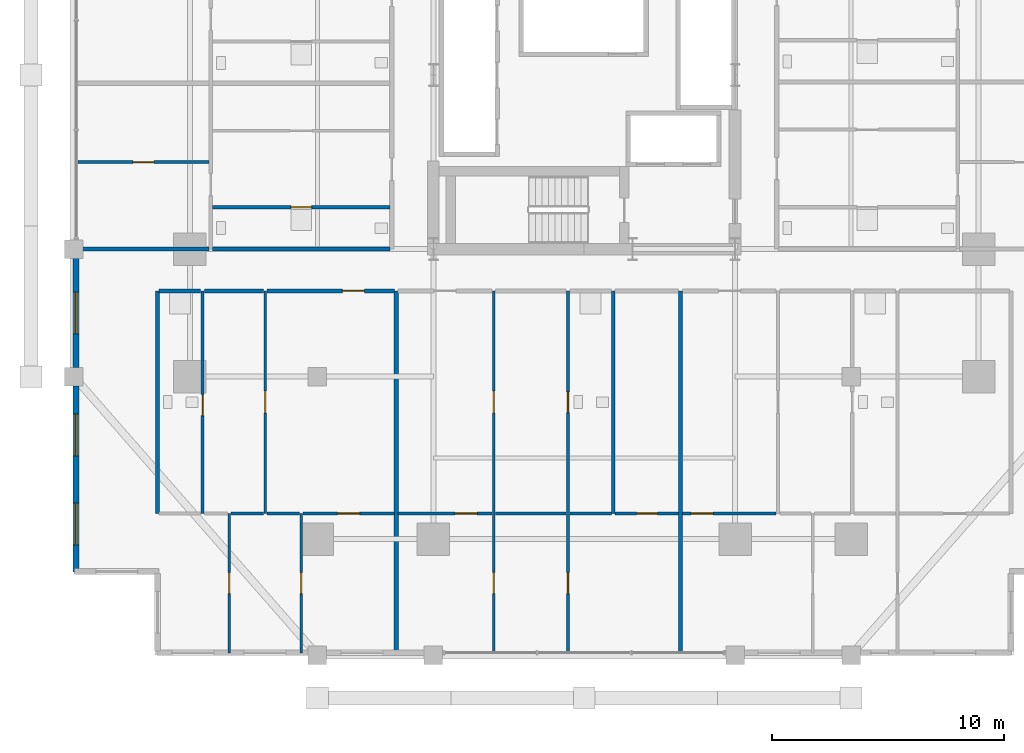
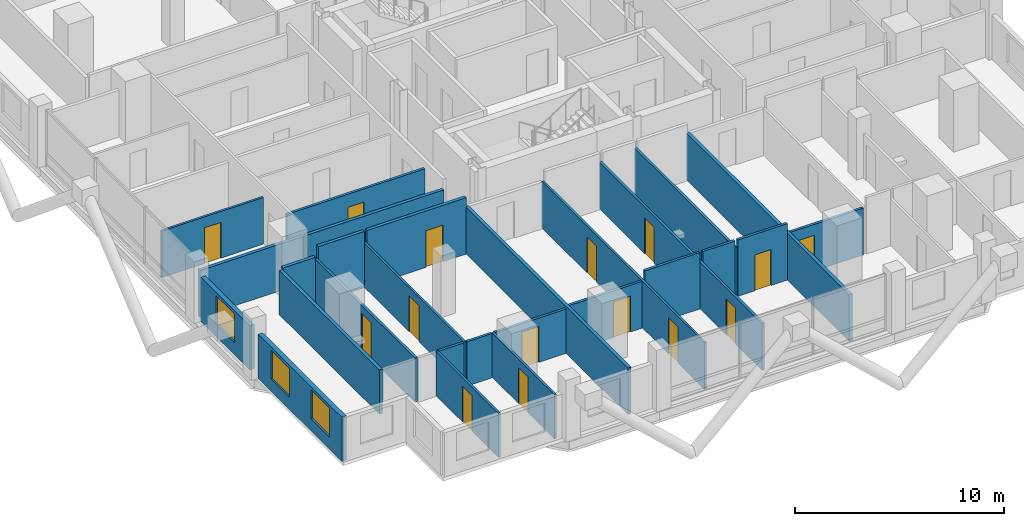
# One storey, part 17 of 24: 27 walls, 15 doors, 3 windows, 18 openings.
"""IFC4 building model written with IfcOpenShell, lengths in metres."""

from ifc_helpers import new_model, si_unit, direction, frame, frame_2d, origin, place, context, subcontext, project, spatial, rectangle, extrude, material, layer, layer_set, type_object, element, fill, save


model = new_model("IFC4")

# Units and contexts
model_context = context("Model", 3, precision=1e-05, world=origin(), true_north=direction((0.0, 1.0)))
body_context = subcontext(model_context, "Body", "Model", "MODEL_VIEW")
ifc_project = project(units=[si_unit("LENGTHUNIT", "METRE"), si_unit("AREAUNIT", "SQUARE_METRE"), si_unit("VOLUMEUNIT", "CUBIC_METRE"), si_unit("PLANEANGLEUNIT", "RADIAN"), si_unit("MASSUNIT", "GRAM", prefix="KILO")], contexts=[model_context])

# Site, building, storey
site_placement = place(None, origin())
site = spatial("IfcSite", under=ifc_project, at=site_placement, CompositionType="ELEMENT")
building_placement = place(site_placement, origin())
building = spatial("IfcBuilding", under=site, at=building_placement, Name="Barlavira Tower and Art Museum", CompositionType="ELEMENT")
storey_placement = place(building_placement, frame((0.0, 0.0, 90.0)))
storey = spatial("IfcBuildingStorey", under=building, at=storey_placement, Name="L22", CompositionType="ELEMENT", Elevation=90.0)

# Wall, opening, door
ifc_material_1 = material(Name="Gypsum acoustic stud partition", Category="gypsum")
ifc_layer_1 = layer(ifc_material_1, 0.1201171875, Name="Gypsum acoustic stud partition")
ifc_layer_set_1 = layer_set([ifc_layer_1], Name="Gypsum acoustic stud partition")
wall_type_1 = type_object("IfcWallType", Name="Apartment Internal Acoustic Partition 120", PredefinedType="PARTITIONING", material=ifc_layer_set_1)
wall_1_placement = place(storey_placement, frame((-15.300048828125, -24.89990234375, 0.0), z_axis=(0.0, 0.0, 1.0), x_axis=(0.0, 1.0, 0.0)))
wall_1 = element("IfcWall", 1, at=wall_1_placement, inside=storey, type_object=wall_type_1, Name="L22 Partition Wall 5", PredefinedType="PARTITIONING", context=body_context, shape_type="SweptSolid", body=[
    extrude(rectangle(XDim=6.0, YDim=0.1201171875, at=frame_2d((3.0, 0.0))), origin(), (0.0, 0.0, 1.0), 2.590087890625),
])
opening_1_placement = place(wall_1_placement, frame((2.550048828125, 0.0, 0.0)))
opening_1 = element("IfcOpeningElement", 2, at=opening_1_placement, cuts=wall_1, Name="Opening D-01", PredefinedType="OPENING", context=body_context, shape_type="SweptSolid", body=[
    extrude(rectangle(XDim=0.89990234375, YDim=2.10009765625, at=frame_2d((0.449951171875, 1.050048828125))), frame((0.0, 0.070068359375, 0.0), z_axis=(0.0, -1.0, 0.0), x_axis=(1.0, 0.0, 0.0)), (0.0, 0.0, 1.0), 0.14013671875),
])
ifc_material_2 = material(Name="Engineered coastal hardwood", Category="wood")
door_type_1 = type_object("IfcDoorType", Name="Internal Bedroom Timber Flush Door 900x2100", OperationType="NOTDEFINED", PredefinedType="DOOR", material=ifc_material_2)
door_1_placement = place(opening_1_placement, origin())
door_1 = element("IfcDoor", 3, at=door_1_placement, inside=storey, type_object=door_type_1, Name="Apartment S1 Bedroom 2 Door", OperationType="SINGLE_SWING_LEFT", OverallHeight=2.10009765625, OverallWidth=0.89990234375, PredefinedType="DOOR", context=body_context, shape_type="SweptSolid", body=[
    extrude(rectangle(XDim=0.89990234375, YDim=2.10009765625, at=frame_2d((0.449951171875, 1.050048828125))), frame((0.0, 0.02490234375, 0.0), z_axis=(0.0, -1.0, 0.0), x_axis=(1.0, 0.0, 0.0)), (0.0, 0.0, 1.0), 0.050048828125),
])
fill(opening_1, door_1)

wall_2_placement = place(storey_placement, frame((-13.75, -18.89990234375, 0.0), z_axis=(0.0, 0.0, 1.0), x_axis=(0.0, 1.0, 0.0)))
wall_2 = element("IfcWall", 4, at=wall_2_placement, inside=storey, type_object=wall_type_1, Name="L22 Partition Wall 6", PredefinedType="PARTITIONING", context=body_context, shape_type="SweptSolid", body=[
    extrude(rectangle(XDim=9.599853515625, YDim=0.1201171875, at=frame_2d((4.7998046875, 0.0))), origin(), (0.0, 0.0, 1.0), 2.590087890625),
])
opening_2_placement = place(wall_2_placement, frame((4.324951171875, 0.0, 0.0)))
opening_2 = element("IfcOpeningElement", 5, at=opening_2_placement, cuts=wall_2, Name="Opening D-02", PredefinedType="OPENING", context=body_context, shape_type="SweptSolid", body=[
    extrude(rectangle(XDim=0.949951171875, YDim=2.10009765625, at=frame_2d((0.47509765625, 1.050048828125))), frame((0.0, 0.070068359375, 0.0), z_axis=(0.0, -1.0, 0.0), x_axis=(1.0, 0.0, 0.0)), (0.0, 0.0, 1.0), 0.14013671875),
])
door_type_2 = type_object("IfcDoorType", Name="Living and Salon Glazed-Leaf Door 950x2100", OperationType="NOTDEFINED", PredefinedType="DOOR", material=ifc_material_2)
door_2_placement = place(opening_2_placement, origin())
door_2 = element("IfcDoor", 6, at=door_2_placement, inside=storey, type_object=door_type_2, Name="Apartment S1 Kitchen Door", OperationType="SINGLE_SWING_LEFT", OverallHeight=2.10009765625, OverallWidth=0.949951171875, PredefinedType="DOOR", context=body_context, shape_type="SweptSolid", body=[
    extrude(rectangle(XDim=0.949951171875, YDim=2.10009765625, at=frame_2d((0.47509765625, 1.050048828125))), frame((0.0, 0.02490234375, 0.0), z_axis=(0.0, -1.0, 0.0), x_axis=(1.0, 0.0, 0.0)), (0.0, 0.0, 1.0), 0.050048828125),
])
fill(opening_2, door_2)

wall_3_placement = place(storey_placement, frame((-12.199951171875, -24.89990234375, 0.0), z_axis=(0.0, 0.0, 1.0), x_axis=(0.0, 1.0, 0.0)))
wall_3 = element("IfcWall", 7, at=wall_3_placement, inside=storey, type_object=wall_type_1, Name="L22 Partition Wall 8", PredefinedType="PARTITIONING", context=body_context, shape_type="SweptSolid", body=[
    extrude(rectangle(XDim=6.0, YDim=0.1201171875, at=frame_2d((3.0, 0.0))), origin(), (0.0, 0.0, 1.0), 2.590087890625),
])
opening_3_placement = place(wall_3_placement, frame((2.550048828125, 0.0, 0.0)))
opening_3 = element("IfcOpeningElement", 8, at=opening_3_placement, cuts=wall_3, Name="Opening D-01", PredefinedType="OPENING", context=body_context, shape_type="SweptSolid", body=[
    extrude(rectangle(XDim=0.89990234375, YDim=2.10009765625, at=frame_2d((0.449951171875, 1.050048828125))), frame((0.0, 0.070068359375, 0.0), z_axis=(0.0, -1.0, 0.0), x_axis=(1.0, 0.0, 0.0)), (0.0, 0.0, 1.0), 0.14013671875),
])
door_3_placement = place(opening_3_placement, origin())
door_3 = element("IfcDoor", 9, at=door_3_placement, inside=storey, type_object=door_type_1, Name="Apartment S1 Bedroom 1 Door", OperationType="SINGLE_SWING_RIGHT", OverallHeight=2.10009765625, OverallWidth=0.89990234375, PredefinedType="DOOR", context=body_context, shape_type="SweptSolid", body=[
    extrude(rectangle(XDim=0.89990234375, YDim=2.10009765625, at=frame_2d((0.449951171875, 1.050048828125))), frame((0.0, 0.02490234375, 0.0), z_axis=(0.0, -1.0, 0.0), x_axis=(1.0, 0.0, 0.0)), (0.0, 0.0, 1.0), 0.050048828125),
])
fill(opening_3, door_3)

# Wall, openings, doors
wall_4_placement = place(storey_placement, frame((-3.89990234375, -24.89990234375, 0.0), z_axis=(0.0, 0.0, 1.0), x_axis=(0.0, 1.0, 0.0)))
wall_4 = element("IfcWall", 10, at=wall_4_placement, inside=storey, type_object=wall_type_1, Name="L22 Partition Wall 14", PredefinedType="PARTITIONING", context=body_context, shape_type="SweptSolid", body=[
    extrude(rectangle(XDim=15.599853515625, YDim=0.1201171875, at=frame_2d((7.7998046875, 0.0))), origin(), (0.0, 0.0, 1.0), 2.736083984375),
])
opening_4_placement = place(wall_4_placement, frame((10.324951171875, 0.0, 0.0)))
opening_4 = element("IfcOpeningElement", 11, at=opening_4_placement, cuts=wall_4, Name="Opening D-02", PredefinedType="OPENING", context=body_context, shape_type="SweptSolid", body=[
    extrude(rectangle(XDim=0.949951171875, YDim=2.10009765625, at=frame_2d((0.47509765625, 1.050048828125))), frame((0.0, 0.070068359375, 0.0), z_axis=(0.0, -1.0, 0.0), x_axis=(1.0, 0.0, 0.0)), (0.0, 0.0, 1.0), 0.14013671875),
])
opening_5_placement = place(wall_4_placement, frame((2.550048828125, 0.0, 0.0)))
opening_5 = element("IfcOpeningElement", 12, at=opening_5_placement, cuts=wall_4, Name="Opening D-01", PredefinedType="OPENING", context=body_context, shape_type="SweptSolid", body=[
    extrude(rectangle(XDim=0.89990234375, YDim=2.10009765625, at=frame_2d((0.449951171875, 1.050048828125))), frame((0.0, 0.070068359375, 0.0), z_axis=(0.0, -1.0, 0.0), x_axis=(1.0, 0.0, 0.0)), (0.0, 0.0, 1.0), 0.14013671875),
])
door_4_placement = place(opening_5_placement, origin())
door_4 = element("IfcDoor", 13, at=door_4_placement, inside=storey, type_object=door_type_1, Name="Apartment S2 Bedroom 1 Door", OperationType="SINGLE_SWING_LEFT", OverallHeight=2.10009765625, OverallWidth=0.89990234375, PredefinedType="DOOR", context=body_context, shape_type="SweptSolid", body=[
    extrude(rectangle(XDim=0.89990234375, YDim=2.10009765625, at=frame_2d((0.449951171875, 1.050048828125))), frame((0.0, 0.02490234375, 0.0), z_axis=(0.0, -1.0, 0.0), x_axis=(1.0, 0.0, 0.0)), (0.0, 0.0, 1.0), 0.050048828125),
])
fill(opening_5, door_4)
door_5_placement = place(opening_4_placement, origin())
door_5 = element("IfcDoor", 14, at=door_5_placement, inside=storey, type_object=door_type_2, Name="Apartment S2 Kitchen Door", OperationType="SINGLE_SWING_LEFT", OverallHeight=2.10009765625, OverallWidth=0.949951171875, PredefinedType="DOOR", context=body_context, shape_type="SweptSolid", body=[
    extrude(rectangle(XDim=0.949951171875, YDim=2.10009765625, at=frame_2d((0.47509765625, 1.050048828125))), frame((0.0, 0.02490234375, 0.0), z_axis=(0.0, -1.0, 0.0), x_axis=(1.0, 0.0, 0.0)), (0.0, 0.0, 1.0), 0.050048828125),
])
fill(opening_4, door_5)

# Wall, opening, door
wall_5_placement = place(storey_placement, frame((-21.820068359375, -3.75, 0.0), z_axis=(0.0, 0.0, 1.0), x_axis=(1.0, 0.0, 0.0)))
wall_5 = element("IfcWall", 15, at=wall_5_placement, inside=storey, type_object=wall_type_1, Name="L22 Partition Wall 64", PredefinedType="PARTITIONING", context=body_context, shape_type="SweptSolid", body=[
    extrude(rectangle(XDim=5.64013671875, YDim=0.1201171875, at=frame_2d((2.820068359375, 0.0))), origin(), (0.0, 0.0, 1.0), 2.736083984375),
])
opening_6_placement = place(wall_5_placement, frame((2.3701171875, 0.0, 0.0)))
opening_6 = element("IfcOpeningElement", 16, at=opening_6_placement, cuts=wall_5, Name="Opening D-01", PredefinedType="OPENING", context=body_context, shape_type="SweptSolid", body=[
    extrude(rectangle(XDim=0.89990234375, YDim=2.10009765625, at=frame_2d((0.449951171875, 1.050048828125))), frame((0.0, 0.070068359375, 0.0), z_axis=(0.0, -1.0, 0.0), x_axis=(1.0, 0.0, 0.0)), (0.0, 0.0, 1.0), 0.14013671875),
])
door_6_placement = place(opening_6_placement, origin())
door_6 = element("IfcDoor", 17, at=door_6_placement, inside=storey, type_object=door_type_1, Name="Apartment W1 Bedroom 1 Door", OperationType="SINGLE_SWING_RIGHT", OverallHeight=2.10009765625, OverallWidth=0.89990234375, PredefinedType="DOOR", context=body_context, shape_type="SweptSolid", body=[
    extrude(rectangle(XDim=0.89990234375, YDim=2.10009765625, at=frame_2d((0.449951171875, 1.050048828125))), frame((0.0, 0.02490234375, 0.0), z_axis=(0.0, -1.0, 0.0), x_axis=(1.0, 0.0, 0.0)), (0.0, 0.0, 1.0), 0.050048828125),
])
fill(opening_6, door_6)

# Walls
ifc_layer_2 = layer(ifc_material_1, 0.179931640625, Name="Gypsum acoustic stud partition")
ifc_layer_set_2 = layer_set([ifc_layer_2], Name="Gypsum acoustic stud partition")
wall_type_2 = type_object("IfcWallType", Name="Inter-Tenancy Party Partition Wall 180", PredefinedType="PARTITIONING", material=ifc_layer_set_2)
wall_6_placement = place(storey_placement, frame((-18.39990234375, -18.89990234375, 0.0), z_axis=(0.0, 0.0, 1.0), x_axis=(0.0, 1.0, 0.0)))
element("IfcWall", 18, at=wall_6_placement, inside=storey, type_object=wall_type_2, Name="L22 Partition Wall 1", PredefinedType="PARTITIONING", context=body_context, shape_type="SweptSolid", body=[
    extrude(rectangle(XDim=9.599853515625, YDim=0.179931640625, at=frame_2d((4.7998046875, 0.0))), origin(), (0.0, 0.0, 1.0), 2.590087890625),
])
for number, where, z_axis, x_axis, name in (
    (19, (-8.10009765625, -24.89990234375, 0.0), (0.0, 0.0, 1.0), (0.0, 1.0, 0.0), "L22 Partition Wall 10"),
    (20, (4.14990234375, -24.89990234375, 0.0), (0.0, 0.0, 1.0), (0.0, 1.0, 0.0), "L22 Partition Wall 21"),
):
    element("IfcWall", number, at=place(storey_placement, frame(where, z_axis=z_axis, x_axis=x_axis)), inside=storey, type_object=wall_type_2, Name=name, PredefinedType="PARTITIONING", context=body_context, shape_type="SweptSolid", body=[
        extrude(rectangle(XDim=15.599853515625, YDim=0.179931640625, at=frame_2d((7.7998046875, 0.0))), origin(), (0.0, 0.0, 1.0), 2.736083984375),
    ])
wall_7_placement = place(storey_placement, frame((-18.320068359375, -9.300048828125, 0.0), z_axis=(0.0, 0.0, 1.0), x_axis=(1.0, 0.0, 0.0)))
element("IfcWall", 21, at=wall_7_placement, inside=storey, type_object=wall_type_2, Name="L22 Partition Wall 47", PredefinedType="PARTITIONING", context=body_context, shape_type="SweptSolid", body=[
    extrude(rectangle(XDim=1.7900390625, YDim=0.179931640625, at=frame_2d((0.89501953125, 0.0))), origin(), (0.0, 0.0, 1.0), 2.736083984375),
])
wall_8_placement = place(storey_placement, frame((-16.3701171875, -9.300048828125, 0.0), z_axis=(0.0, 0.0, 1.0), x_axis=(1.0, 0.0, 0.0)))
element("IfcWall", 22, at=wall_8_placement, inside=storey, type_object=wall_type_2, Name="L22 Partition Wall 48", PredefinedType="PARTITIONING", context=body_context, shape_type="SweptSolid", body=[
    extrude(rectangle(XDim=2.5400390625, YDim=0.179931640625, at=frame_2d((1.27001953125, 0.0))), origin(), (0.0, 0.0, 1.0), 3.300048828125),
])

# Wall, opening, door
wall_9_placement = place(storey_placement, frame((-13.669921875, -9.300048828125, 0.0), z_axis=(0.0, 0.0, 1.0), x_axis=(1.0, 0.0, 0.0)))
wall_9 = element("IfcWall", 23, at=wall_9_placement, inside=storey, type_object=wall_type_2, Name="L22 Partition Wall 49", PredefinedType="PARTITIONING", context=body_context, shape_type="SweptSolid", body=[
    extrude(rectangle(XDim=5.489990234375, YDim=0.179931640625, at=frame_2d((2.7451171875, 0.0))), origin(), (0.0, 0.0, 1.0), 3.300048828125),
])
opening_7_placement = place(wall_9_placement, frame((3.2451171875, 0.0, 0.0)))
opening_7 = element("IfcOpeningElement", 24, at=opening_7_placement, cuts=wall_9, Name="Opening FD-60", PredefinedType="OPENING", context=body_context, shape_type="SweptSolid", body=[
    extrude(rectangle(XDim=0.949951171875, YDim=2.14990234375, at=frame_2d((0.47509765625, 1.074951171875))), frame((0.0, 0.10009765625, 0.0), z_axis=(0.0, -1.0, 0.0), x_axis=(1.0, 0.0, 0.0)), (0.0, 0.0, 1.0), 0.199951171875),
])
ifc_material_3 = material(Name="Brushed stainless steel", Category="steel")
door_type_3 = type_object("IfcDoorType", Name="Apartment Entrance and Riser Fire Door 950x2150 FD60S", OperationType="NOTDEFINED", PredefinedType="DOOR", material=ifc_material_3)
door_7_placement = place(opening_7_placement, origin())
door_7 = element("IfcDoor", 25, at=door_7_placement, inside=storey, type_object=door_type_3, Name="Apartment Entrance Hall S1 Door", OperationType="SINGLE_SWING_RIGHT", OverallHeight=2.14990234375, OverallWidth=0.949951171875, PredefinedType="DOOR", context=body_context, shape_type="SweptSolid", body=[
    extrude(rectangle(XDim=0.949951171875, YDim=2.14990234375, at=frame_2d((0.47509765625, 1.074951171875))), frame((0.0, 0.02490234375, 0.0), z_axis=(0.0, -1.0, 0.0), x_axis=(1.0, 0.0, 0.0)), (0.0, 0.0, 1.0), 0.050048828125),
])
fill(opening_7, door_7)

# Walls
wall_10_placement = place(storey_placement, frame((-21.89990234375, -7.5, 0.0), z_axis=(0.0, 0.0, 1.0), x_axis=(1.0, 0.0, 0.0)))
element("IfcWall", 26, at=wall_10_placement, inside=storey, type_object=wall_type_2, Name="L22 Partition Wall 58", PredefinedType="PARTITIONING", context=body_context, shape_type="SweptSolid", body=[
    extrude(rectangle(XDim=5.719970703125, YDim=0.179931640625, at=frame_2d((2.85986328125, 0.0))), origin(), (0.0, 0.0, 1.0), 2.736083984375),
])
wall_11_placement = place(storey_placement, frame((-16.02001953125, -7.5, 0.0), z_axis=(0.0, 0.0, 1.0), x_axis=(1.0, 0.0, 0.0)))
element("IfcWall", 27, at=wall_11_placement, inside=storey, type_object=wall_type_2, Name="L22 Partition Wall 59", PredefinedType="PARTITIONING", context=body_context, shape_type="SweptSolid", body=[
    extrude(rectangle(XDim=7.64013671875, YDim=0.179931640625, at=frame_2d((3.820068359375, 0.0))), origin(), (0.0, 0.0, 1.0), 2.736083984375),
])

# Wall, opening, door
ifc_layer_3 = layer(ifc_material_1, 0.139892578125, Name="Gypsum acoustic stud partition")
ifc_layer_set_3 = layer_set([ifc_layer_3], Name="Gypsum acoustic stud partition")
wall_type_3 = type_object("IfcWallType", Name="Moisture-Resistant Bathroom Partition 140", PredefinedType="PARTITIONING", material=ifc_layer_set_3)
wall_12_placement = place(storey_placement, frame((-16.449951171875, -18.89990234375, 0.0), z_axis=(0.0, 0.0, 1.0), x_axis=(0.0, 1.0, 0.0)))
wall_12 = element("IfcWall", 28, at=wall_12_placement, inside=storey, type_object=wall_type_3, Name="L22 Partition Wall 3", PredefinedType="PARTITIONING", context=body_context, shape_type="SweptSolid", body=[
    extrude(rectangle(XDim=9.599853515625, YDim=0.139892578125, at=frame_2d((4.7998046875, 0.0))), origin(), (0.0, 0.0, 1.0), 2.590087890625),
])
opening_8_placement = place(wall_12_placement, frame((4.2216796875, 0.0, 0.0)))
opening_8 = element("IfcOpeningElement", 29, at=opening_8_placement, cuts=wall_12, Name="Opening D-WC", PredefinedType="OPENING", context=body_context, shape_type="SweptSolid", body=[
    extrude(rectangle(XDim=0.89990234375, YDim=2.10009765625, at=frame_2d((0.449951171875, 1.050048828125))), frame((0.0, 0.080078125, 0.0), z_axis=(0.0, -1.0, 0.0), x_axis=(1.0, 0.0, 0.0)), (0.0, 0.0, 1.0), 0.159912109375),
])
door_type_4 = type_object("IfcDoorType", Name="Accessible Bathroom Flush Door 900x2100", OperationType="NOTDEFINED", PredefinedType="DOOR", material=ifc_material_2)
door_8_placement = place(opening_8_placement, origin())
door_8 = element("IfcDoor", 30, at=door_8_placement, inside=storey, type_object=door_type_4, Name="Apartment S1 Hall Bathroom Door", OperationType="SINGLE_SWING_RIGHT", OverallHeight=2.10009765625, OverallWidth=0.89990234375, PredefinedType="DOOR", context=body_context, shape_type="SweptSolid", body=[
    extrude(rectangle(XDim=0.89990234375, YDim=2.10009765625, at=frame_2d((0.449951171875, 1.050048828125))), frame((0.0, 0.02490234375, 0.0), z_axis=(0.0, -1.0, 0.0), x_axis=(1.0, 0.0, 0.0)), (0.0, 0.0, 1.0), 0.050048828125),
])
fill(opening_8, door_8)

# Wall, openings, doors
wall_13_placement = place(storey_placement, frame((-0.699951171875, -24.89990234375, 0.0), z_axis=(0.0, 0.0, 1.0), x_axis=(0.0, 1.0, 0.0)))
wall_13 = element("IfcWall", 31, at=wall_13_placement, inside=storey, type_object=wall_type_3, Name="L22 Partition Wall 15", PredefinedType="PARTITIONING", context=body_context, shape_type="SweptSolid", body=[
    extrude(rectangle(XDim=15.599853515625, YDim=0.139892578125, at=frame_2d((7.7998046875, 0.0))), origin(), (0.0, 0.0, 1.0), 2.736083984375),
])
opening_9_placement = place(wall_13_placement, frame((10.35009765625, 0.0, 0.0)))
opening_9 = element("IfcOpeningElement", 32, at=opening_9_placement, cuts=wall_13, Name="Opening D-WC", PredefinedType="OPENING", context=body_context, shape_type="SweptSolid", body=[
    extrude(rectangle(XDim=0.89990234375, YDim=2.10009765625, at=frame_2d((0.449951171875, 1.050048828125))), frame((0.0, 0.080078125, 0.0), z_axis=(0.0, -1.0, 0.0), x_axis=(1.0, 0.0, 0.0)), (0.0, 0.0, 1.0), 0.159912109375),
])
opening_10_placement = place(wall_13_placement, frame((2.550048828125, 0.0, 0.0)))
opening_10 = element("IfcOpeningElement", 33, at=opening_10_placement, cuts=wall_13, Name="Opening D-01", PredefinedType="OPENING", context=body_context, shape_type="SweptSolid", body=[
    extrude(rectangle(XDim=0.89990234375, YDim=2.10009765625, at=frame_2d((0.449951171875, 1.050048828125))), frame((0.0, 0.080078125, 0.0), z_axis=(0.0, -1.0, 0.0), x_axis=(1.0, 0.0, 0.0)), (0.0, 0.0, 1.0), 0.159912109375),
])
door_9_placement = place(opening_9_placement, origin())
door_9 = element("IfcDoor", 34, at=door_9_placement, inside=storey, type_object=door_type_4, Name="Apartment S2 Hall Bathroom Door", OperationType="SINGLE_SWING_RIGHT", OverallHeight=2.10009765625, OverallWidth=0.89990234375, PredefinedType="DOOR", context=body_context, shape_type="SweptSolid", body=[
    extrude(rectangle(XDim=0.89990234375, YDim=2.10009765625, at=frame_2d((0.449951171875, 1.050048828125))), frame((0.0, 0.02490234375, 0.0), z_axis=(0.0, -1.0, 0.0), x_axis=(1.0, 0.0, 0.0)), (0.0, 0.0, 1.0), 0.050048828125),
])
fill(opening_9, door_9)
door_10_placement = place(opening_10_placement, origin())
door_10 = element("IfcDoor", 35, at=door_10_placement, inside=storey, type_object=door_type_1, Name="Apartment S2 Bedroom 2 Door", OperationType="SINGLE_SWING_RIGHT", OverallHeight=2.10009765625, OverallWidth=0.89990234375, PredefinedType="DOOR", context=body_context, shape_type="SweptSolid", body=[
    extrude(rectangle(XDim=0.89990234375, YDim=2.10009765625, at=frame_2d((0.449951171875, 1.050048828125))), frame((0.0, 0.02490234375, 0.0), z_axis=(0.0, -1.0, 0.0), x_axis=(1.0, 0.0, 0.0)), (0.0, 0.0, 1.0), 0.050048828125),
])
fill(opening_10, door_10)

# Walls
wall_14_placement = place(storey_placement, frame((1.25, -18.89990234375, 0.0), z_axis=(0.0, 0.0, 1.0), x_axis=(0.0, 1.0, 0.0)))
element("IfcWall", 36, at=wall_14_placement, inside=storey, type_object=wall_type_3, Name="L22 Partition Wall 17", PredefinedType="PARTITIONING", context=body_context, shape_type="SweptSolid", body=[
    extrude(rectangle(XDim=9.599853515625, YDim=0.139892578125, at=frame_2d((4.7998046875, 0.0))), origin(), (0.0, 0.0, 1.0), 2.867919921875),
])
for number, where, z_axis, x_axis, name in (
    (37, (-15.219970703125, -18.89990234375, 0.0), (0.0, 0.0, 1.0), (1.0, 0.0, 0.0), "L22 Partition Wall 35"),
    (38, (-13.669921875, -18.89990234375, 0.0), (0.0, 0.0, 1.0), (1.0, 0.0, 0.0), "L22 Partition Wall 36"),
):
    element("IfcWall", number, at=place(storey_placement, frame(where, z_axis=z_axis, x_axis=x_axis)), inside=storey, type_object=wall_type_3, Name=name, PredefinedType="PARTITIONING", context=body_context, shape_type="SweptSolid", body=[
        extrude(rectangle(XDim=1.389892578125, YDim=0.139892578125, at=frame_2d((0.69482421875, 0.0))), origin(), (0.0, 0.0, 1.0), 2.590087890625),
    ])

# Wall, opening, door
wall_15_placement = place(storey_placement, frame((-12.1201171875, -18.89990234375, 0.0), z_axis=(0.0, 0.0, 1.0), x_axis=(1.0, 0.0, 0.0)))
wall_15 = element("IfcWall", 39, at=wall_15_placement, inside=storey, type_object=wall_type_3, Name="L22 Partition Wall 37", PredefinedType="PARTITIONING", context=body_context, shape_type="SweptSolid", body=[
    extrude(rectangle(XDim=3.940185546875, YDim=0.139892578125, at=frame_2d((1.97021484375, 0.0))), origin(), (0.0, 0.0, 1.0), 2.590087890625),
])
opening_11_placement = place(wall_15_placement, frame((1.485107421875, 0.0, 0.0)))
opening_11 = element("IfcOpeningElement", 40, at=opening_11_placement, cuts=wall_15, Name="Opening D-02", PredefinedType="OPENING", context=body_context, shape_type="SweptSolid", body=[
    extrude(rectangle(XDim=0.949951171875, YDim=2.10009765625, at=frame_2d((0.47509765625, 1.050048828125))), frame((0.0, 0.080078125, 0.0), z_axis=(0.0, -1.0, 0.0), x_axis=(1.0, 0.0, 0.0)), (0.0, 0.0, 1.0), 0.159912109375),
])
door_11_placement = place(opening_11_placement, origin())
door_11 = element("IfcDoor", 41, at=door_11_placement, inside=storey, type_object=door_type_2, Name="Apartment S1 Living Lounge Door", OperationType="SINGLE_SWING_LEFT", OverallHeight=2.10009765625, OverallWidth=0.949951171875, PredefinedType="DOOR", context=body_context, shape_type="SweptSolid", body=[
    extrude(rectangle(XDim=0.949951171875, YDim=2.10009765625, at=frame_2d((0.47509765625, 1.050048828125))), frame((0.0, 0.02490234375, 0.0), z_axis=(0.0, -1.0, 0.0), x_axis=(1.0, 0.0, 0.0)), (0.0, 0.0, 1.0), 0.050048828125),
])
fill(opening_11, door_11)

wall_16_placement = place(storey_placement, frame((-8.02001953125, -18.89990234375, 0.0), z_axis=(0.0, 0.0, 1.0), x_axis=(1.0, 0.0, 0.0)))
wall_16 = element("IfcWall", 42, at=wall_16_placement, inside=storey, type_object=wall_type_3, Name="L22 Partition Wall 38", PredefinedType="PARTITIONING", context=body_context, shape_type="SweptSolid", body=[
    extrude(rectangle(XDim=4.0400390625, YDim=0.139892578125, at=frame_2d((2.02001953125, 0.0))), origin(), (0.0, 0.0, 1.0), 2.736083984375),
])
opening_12_placement = place(wall_16_placement, frame((2.451904296875, 0.0, 0.0)))
opening_12 = element("IfcOpeningElement", 43, at=opening_12_placement, cuts=wall_16, Name="Opening D-02", PredefinedType="OPENING", context=body_context, shape_type="SweptSolid", body=[
    extrude(rectangle(XDim=0.949951171875, YDim=2.10009765625, at=frame_2d((0.47509765625, 1.050048828125))), frame((0.0, 0.080078125, 0.0), z_axis=(0.0, -1.0, 0.0), x_axis=(1.0, 0.0, 0.0)), (0.0, 0.0, 1.0), 0.159912109375),
])
door_12_placement = place(opening_12_placement, origin())
door_12 = element("IfcDoor", 44, at=door_12_placement, inside=storey, type_object=door_type_2, Name="Apartment S2 Living Lounge Door", OperationType="SINGLE_SWING_RIGHT", OverallHeight=2.10009765625, OverallWidth=0.949951171875, PredefinedType="DOOR", context=body_context, shape_type="SweptSolid", body=[
    extrude(rectangle(XDim=0.949951171875, YDim=2.10009765625, at=frame_2d((0.47509765625, 1.050048828125))), frame((0.0, 0.02490234375, 0.0), z_axis=(0.0, -1.0, 0.0), x_axis=(1.0, 0.0, 0.0)), (0.0, 0.0, 1.0), 0.050048828125),
])
fill(opening_12, door_12)

# Walls
wall_17_placement = place(storey_placement, frame((-3.820068359375, -18.89990234375, 0.0), z_axis=(0.0, 0.0, 1.0), x_axis=(1.0, 0.0, 0.0)))
element("IfcWall", 45, at=wall_17_placement, inside=storey, type_object=wall_type_3, Name="L22 Partition Wall 39", PredefinedType="PARTITIONING", context=body_context, shape_type="SweptSolid", body=[
    extrude(rectangle(XDim=3.0400390625, YDim=0.139892578125, at=frame_2d((1.52001953125, 0.0))), origin(), (0.0, 0.0, 1.0), 3.300048828125),
])
wall_18_placement = place(storey_placement, frame((-0.6201171875, -18.89990234375, 0.0), z_axis=(0.0, 0.0, 1.0), x_axis=(1.0, 0.0, 0.0)))
element("IfcWall", 46, at=wall_18_placement, inside=storey, type_object=wall_type_3, Name="L22 Partition Wall 40", PredefinedType="PARTITIONING", context=body_context, shape_type="SweptSolid", body=[
    extrude(rectangle(XDim=1.7900390625, YDim=0.139892578125, at=frame_2d((0.89501953125, 0.0))), origin(), (0.0, 0.0, 1.0), 3.300048828125),
])

# Wall, opening, door
wall_19_placement = place(storey_placement, frame((1.330078125, -18.89990234375, 0.0), z_axis=(0.0, 0.0, 1.0), x_axis=(1.0, 0.0, 0.0)))
wall_19 = element("IfcWall", 47, at=wall_19_placement, inside=storey, type_object=wall_type_3, Name="L22 Partition Wall 41", PredefinedType="PARTITIONING", context=body_context, shape_type="SweptSolid", body=[
    extrude(rectangle(XDim=2.739990234375, YDim=0.139892578125, at=frame_2d((1.3701171875, 0.0))), origin(), (0.0, 0.0, 1.0), 3.300048828125),
])
opening_13_placement = place(wall_19_placement, frame((0.925048828125, 0.0, 0.0)))
opening_13 = element("IfcOpeningElement", 48, at=opening_13_placement, cuts=wall_19, Name="Opening D-01", PredefinedType="OPENING", context=body_context, shape_type="SweptSolid", body=[
    extrude(rectangle(XDim=0.89990234375, YDim=2.10009765625, at=frame_2d((0.449951171875, 1.050048828125))), frame((0.0, 0.080078125, 0.0), z_axis=(0.0, -1.0, 0.0), x_axis=(1.0, 0.0, 0.0)), (0.0, 0.0, 1.0), 0.159912109375),
])
door_13_placement = place(opening_13_placement, origin())
door_13 = element("IfcDoor", 49, at=door_13_placement, inside=storey, type_object=door_type_1, Name="Apartment S2 Walk-In Dressing Room Door", OperationType="SINGLE_SWING_LEFT", OverallHeight=2.10009765625, OverallWidth=0.89990234375, PredefinedType="DOOR", context=body_context, shape_type="SweptSolid", body=[
    extrude(rectangle(XDim=0.89990234375, YDim=2.10009765625, at=frame_2d((0.449951171875, 1.050048828125))), frame((0.0, 0.02490234375, 0.0), z_axis=(0.0, -1.0, 0.0), x_axis=(1.0, 0.0, 0.0)), (0.0, 0.0, 1.0), 0.050048828125),
])
fill(opening_13, door_13)

wall_20_placement = place(storey_placement, frame((4.22998046875, -18.89990234375, 0.0), z_axis=(0.0, 0.0, 1.0), x_axis=(1.0, 0.0, 0.0)))
wall_20 = element("IfcWall", 50, at=wall_20_placement, inside=storey, type_object=wall_type_3, Name="L22 Partition Wall 42", PredefinedType="PARTITIONING", context=body_context, shape_type="SweptSolid", body=[
    extrude(rectangle(XDim=4.0400390625, YDim=0.139892578125, at=frame_2d((2.02001953125, 0.0))), origin(), (0.0, 0.0, 1.0), 2.736083984375),
])
opening_14_placement = place(wall_20_placement, frame((0.379150390625, 0.0, 0.0)))
opening_14 = element("IfcOpeningElement", 51, at=opening_14_placement, cuts=wall_20, Name="Opening D-02", PredefinedType="OPENING", context=body_context, shape_type="SweptSolid", body=[
    extrude(rectangle(XDim=0.949951171875, YDim=2.10009765625, at=frame_2d((0.47509765625, 1.050048828125))), frame((0.0, 0.080078125, 0.0), z_axis=(0.0, -1.0, 0.0), x_axis=(1.0, 0.0, 0.0)), (0.0, 0.0, 1.0), 0.159912109375),
])
door_14_placement = place(opening_14_placement, origin())
door_14 = element("IfcDoor", 52, at=door_14_placement, inside=storey, type_object=door_type_2, Name="Apartment S3 Living Lounge Door", OperationType="SINGLE_SWING_LEFT", OverallHeight=2.10009765625, OverallWidth=0.949951171875, PredefinedType="DOOR", context=body_context, shape_type="SweptSolid", body=[
    extrude(rectangle(XDim=0.949951171875, YDim=2.10009765625, at=frame_2d((0.47509765625, 1.050048828125))), frame((0.0, 0.02490234375, 0.0), z_axis=(0.0, -1.0, 0.0), x_axis=(1.0, 0.0, 0.0)), (0.0, 0.0, 1.0), 0.050048828125),
])
fill(opening_14, door_14)

wall_21_placement = place(storey_placement, frame((-16.02001953125, -5.699951171875, 0.0), z_axis=(0.0, 0.0, 1.0), x_axis=(1.0, 0.0, 0.0)))
wall_21 = element("IfcWall", 53, at=wall_21_placement, inside=storey, type_object=wall_type_3, Name="L22 Partition Wall 62", PredefinedType="PARTITIONING", context=body_context, shape_type="SweptSolid", body=[
    extrude(rectangle(XDim=7.64013671875, YDim=0.139892578125, at=frame_2d((3.820068359375, 0.0))), origin(), (0.0, 0.0, 1.0), 2.867919921875),
])
opening_15_placement = place(wall_21_placement, frame((3.3701171875, 0.0, 0.0)))
opening_15 = element("IfcOpeningElement", 54, at=opening_15_placement, cuts=wall_21, Name="Opening D-WC", PredefinedType="OPENING", context=body_context, shape_type="SweptSolid", body=[
    extrude(rectangle(XDim=0.89990234375, YDim=2.10009765625, at=frame_2d((0.449951171875, 1.050048828125))), frame((0.0, 0.080078125, 0.0), z_axis=(0.0, -1.0, 0.0), x_axis=(1.0, 0.0, 0.0)), (0.0, 0.0, 1.0), 0.159912109375),
])
door_15_placement = place(opening_15_placement, origin())
door_15 = element("IfcDoor", 55, at=door_15_placement, inside=storey, type_object=door_type_4, Name="Apartment W1 Hall Bathroom Door", OperationType="SINGLE_SWING_RIGHT", OverallHeight=2.10009765625, OverallWidth=0.89990234375, PredefinedType="DOOR", context=body_context, shape_type="SweptSolid", body=[
    extrude(rectangle(XDim=0.89990234375, YDim=2.10009765625, at=frame_2d((0.449951171875, 1.050048828125))), frame((0.0, 0.02490234375, 0.0), z_axis=(0.0, -1.0, 0.0), x_axis=(1.0, 0.0, 0.0)), (0.0, 0.0, 1.0), 0.050048828125),
])
fill(opening_15, door_15)

# Wall, opening, window
ifc_material_4 = material(Name="Precast concrete C40", Category="concrete")
ifc_layer_4 = layer(ifc_material_4, 0.25, Name="Precast concrete C40")
ifc_layer_set_4 = layer_set([ifc_layer_4], Name="Precast concrete C40")
wall_type_4 = type_object("IfcWallType", Name="Notched Corner Spandrel Wall 250 Precast Concrete C40", PredefinedType="SOLIDWALL", material=ifc_layer_set_4)
wall_22_placement = place(storey_placement, frame((-21.89990234375, -7.89501953125, 0.0), z_axis=(0.0, 0.0, 1.0), x_axis=(0.0, -1.0, 0.0)))
wall_22 = element("IfcWall", 56, at=wall_22_placement, inside=storey, type_object=wall_type_4, Name="L22 Coastal Facade Pier Wall CW1-L22-W-4", PredefinedType="SOLIDWALL", context=body_context, shape_type="SweptSolid", body=[
    extrude(rectangle(XDim=4.7099609375, YDim=0.25, at=frame_2d((2.35498046875, 0.0))), origin(), (0.0, 0.0, 1.0), 2.590087890625),
])
opening_16_placement = place(wall_22_placement, frame((1.455078125, 0.0, 0.719970703125)))
opening_16 = element("IfcOpeningElement", 57, at=opening_16_placement, cuts=wall_22, Name="Opening WN-01", PredefinedType="OPENING", context=body_context, shape_type="SweptSolid", body=[
    extrude(rectangle(XDim=1.800048828125, YDim=1.679931640625, at=frame_2d((0.89990234375, 0.83984375))), frame((0.0, 0.135009765625, 0.0), z_axis=(0.0, -1.0, 0.0), x_axis=(1.0, 0.0, 0.0)), (0.0, 0.0, 1.0), 0.27001953125),
])
ifc_material_5 = material(Name="Low-iron coastal laminated glass", Category="glass")
window_type = type_object("IfcWindowType", Name="Recessed Notch Corner Punch Window 1800x1680", PartitioningType="SINGLE_PANEL", PredefinedType="WINDOW", material=ifc_material_5)
window_1_placement = place(opening_16_placement, origin())
window_1 = element("IfcWindow", 58, at=window_1_placement, inside=storey, type_object=window_type, Name="L22 Punched Facade Window EWP-CW1-L22-W-4-1", OverallHeight=1.679931640625, OverallWidth=1.800048828125, PartitioningType="SINGLE_PANEL", PredefinedType="WINDOW", context=body_context, shape_type="SweptSolid", body=[
    extrude(rectangle(XDim=1.800048828125, YDim=1.679931640625, at=frame_2d((0.89990234375, 0.83984375))), frame((0.0, 0.030029296875, 0.0), z_axis=(0.0, -1.0, 0.0), x_axis=(1.0, 0.0, 0.0)), (0.0, 0.0, 1.0), 0.06005859375),
])
fill(opening_16, window_1)

# Wall, openings, windows
wall_23_placement = place(storey_placement, frame((-21.89990234375, -13.39501953125, 0.0), z_axis=(0.0, 0.0, 1.0), x_axis=(0.0, -1.0, 0.0)))
wall_23 = element("IfcWall", 59, at=wall_23_placement, inside=storey, type_object=wall_type_4, Name="L22 Coastal Facade Pier Wall CW1-L22-W-5", PredefinedType="SOLIDWALL", context=body_context, shape_type="SweptSolid", body=[
    extrude(rectangle(XDim=8.030029296875, YDim=0.25, at=frame_2d((4.01513671875, 0.0))), origin(), (0.0, 0.0, 1.0), 2.590087890625),
])
opening_17_placement = place(wall_23_placement, frame((1.220947265625, 0.0, 0.719970703125)))
opening_17 = element("IfcOpeningElement", 60, at=opening_17_placement, cuts=wall_23, Name="Opening WN-01", PredefinedType="OPENING", context=body_context, shape_type="SweptSolid", body=[
    extrude(rectangle(XDim=1.800048828125, YDim=1.679931640625, at=frame_2d((0.89990234375, 0.83984375))), frame((0.0, 0.135009765625, 0.0), z_axis=(0.0, -1.0, 0.0), x_axis=(1.0, 0.0, 0.0)), (0.0, 0.0, 1.0), 0.27001953125),
])
opening_18_placement = place(wall_23_placement, frame((5.053955078125, 0.0, 0.719970703125)))
opening_18 = element("IfcOpeningElement", 61, at=opening_18_placement, cuts=wall_23, Name="Opening WN-01", PredefinedType="OPENING", context=body_context, shape_type="SweptSolid", body=[
    extrude(rectangle(XDim=1.800048828125, YDim=1.679931640625, at=frame_2d((0.89990234375, 0.83984375))), frame((0.0, 0.135009765625, 0.0), z_axis=(0.0, -1.0, 0.0), x_axis=(1.0, 0.0, 0.0)), (0.0, 0.0, 1.0), 0.27001953125),
])
window_2_placement = place(opening_17_placement, origin())
window_2 = element("IfcWindow", 62, at=window_2_placement, inside=storey, type_object=window_type, Name="L22 Punched Facade Window EWP-CW1-L22-W-5-1", OverallHeight=1.679931640625, OverallWidth=1.800048828125, PartitioningType="SINGLE_PANEL", PredefinedType="WINDOW", context=body_context, shape_type="SweptSolid", body=[
    extrude(rectangle(XDim=1.800048828125, YDim=1.679931640625, at=frame_2d((0.89990234375, 0.83984375))), frame((0.0, 0.030029296875, 0.0), z_axis=(0.0, -1.0, 0.0), x_axis=(1.0, 0.0, 0.0)), (0.0, 0.0, 1.0), 0.06005859375),
])
fill(opening_17, window_2)
window_3_placement = place(opening_18_placement, origin())
window_3 = element("IfcWindow", 63, at=window_3_placement, inside=storey, type_object=window_type, Name="L22 Punched Facade Window EWP-CW1-L22-W-5-2", OverallHeight=1.679931640625, OverallWidth=1.800048828125, PartitioningType="SINGLE_PANEL", PredefinedType="WINDOW", context=body_context, shape_type="SweptSolid", body=[
    extrude(rectangle(XDim=1.800048828125, YDim=1.679931640625, at=frame_2d((0.89990234375, 0.83984375))), frame((0.0, 0.030029296875, 0.0), z_axis=(0.0, -1.0, 0.0), x_axis=(1.0, 0.0, 0.0)), (0.0, 0.0, 1.0), 0.06005859375),
])
fill(opening_18, window_3)

save(model, "model.ifc")
